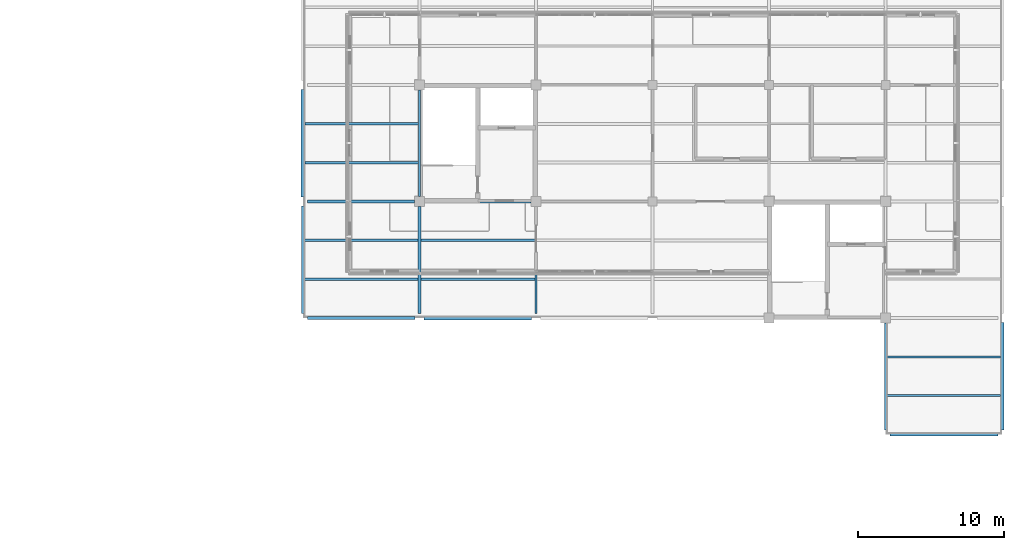
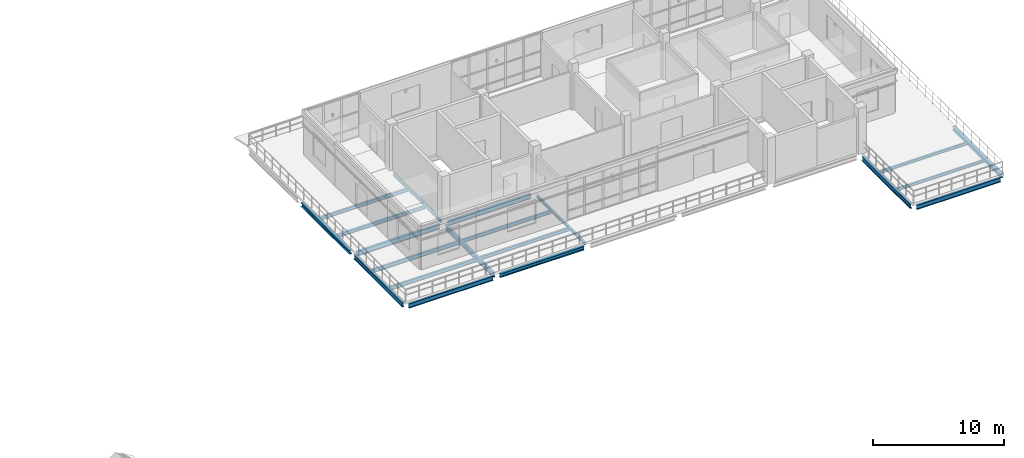
# One storey, part 7 of 24: 20 beams.
"""IFC4 building model written with IfcOpenShell, lengths in metres."""

import ifcopenshell
import ifcopenshell.guid

model = None  # the IFC model being written
_history = None  # IfcOwnerHistory: only IFC2X3 demands one
_inside = {}  # id of a spatial element -> (the spatial element, [elements in it])
_under = {}  # id of a project, library or spatial element -> (it, [spatial elements below it])
_declared = {}  # id of a project -> (the project, [libraries it declares])
_typed = {}  # id of a type object -> (the type object, [elements of that type])
_made_of = {}  # id of a material, layer set ... -> (it, [elements and type objects made of it])


def new_model(schema):
    """Start an empty IFC model of exactly this schema.

    Asked for "IFC4X3", IfcOpenShell would pick the latest addendum, in which some entities
    have other attributes; the version numbers below select the first issue.
    IFC2X3 requires an IfcOwnerHistory on every rooted entity: one is made here for all.
    """
    global model, _history
    if schema == "IFC4X3":
        model = ifcopenshell.file(schema_version=(4, 3, 0, 0))
    else:
        model = ifcopenshell.file(schema=schema)
    _inside.clear()
    _under.clear()
    _declared.clear()
    _typed.clear()
    _made_of.clear()
    _history = None
    if model.schema == "IFC2X3":
        org = make("IfcOrganization", Name="unknown")
        user = make(
            "IfcPersonAndOrganization",
            ThePerson=make("IfcPerson", FamilyName="unknown"),
            TheOrganization=org,
        )
        app = make(
            "IfcApplication",
            ApplicationDeveloper=org,
            Version="unknown",
            ApplicationFullName="unknown",
            ApplicationIdentifier="unknown",
        )
        _history = make(
            "IfcOwnerHistory",
            OwningUser=user,
            OwningApplication=app,
            ChangeAction="ADDED",
            CreationDate=0,
        )
    return model


def make(cls, **values):
    """One entity of the class cls with the attributes given. An attribute that is None is left unset."""
    return model.create_entity(
        cls, **{name: value for name, value in values.items() if value is not None}
    )


def rooted(cls, **values):
    """An entity with a GlobalId (a new one), such as an element, a storey or a relation."""
    return make(cls, GlobalId=ifcopenshell.guid.new(), OwnerHistory=_history, **values)


def si_unit(unit_type, name, prefix=None):
    """IfcSIUnit, for example si_unit("LENGTHUNIT", "METRE", prefix="MILLI")."""
    return make("IfcSIUnit", UnitType=unit_type, Prefix=prefix, Name=name)


def derived_unit(unit_type, elements):
    """IfcDerivedUnit: a product of units, each with its exponent."""
    return make(
        "IfcDerivedUnit",
        Elements=[
            make("IfcDerivedUnitElement", Unit=unit, Exponent=power)
            for unit, power in elements
        ],
        UnitType=unit_type,
    )


def assignment(units):
    """IfcUnitAssignment: the units of a project."""
    return None if units is None else make("IfcUnitAssignment", Units=units)


def point(xyz):
    """IfcCartesianPoint."""
    return None if xyz is None else make("IfcCartesianPoint", Coordinates=xyz)


def direction(xyz):
    """IfcDirection."""
    return None if xyz is None else make("IfcDirection", DirectionRatios=xyz)


def frame(location, z_axis=None, x_axis=None):
    """IfcAxis2Placement3D, a coordinate frame: its origin and axes. An axis left out is left unset."""
    return make(
        "IfcAxis2Placement3D",
        Location=point(location),
        Axis=direction(z_axis),
        RefDirection=direction(x_axis),
    )


def frame_2d(location, x_axis=None):
    """IfcAxis2Placement2D, a coordinate frame in the plane: its origin and x axis."""
    return make(
        "IfcAxis2Placement2D", Location=point(location), RefDirection=direction(x_axis)
    )


def origin():
    """The frame at (0, 0, 0) with its axes left unset."""
    return frame((0.0, 0.0, 0.0))


def origin_2d():
    """The frame at (0, 0) in the plane with its x axis left unset."""
    return frame_2d((0.0, 0.0))


def place(relative_to, where):
    """IfcLocalPlacement: puts the frame where relative to a parent placement (None: the world)."""
    return make(
        "IfcLocalPlacement", PlacementRelTo=relative_to, RelativePlacement=where
    )


def context(
    kind, dimensions, precision=None, world=None, true_north=None, identifier=None
):
    """IfcGeometricRepresentationContext, for example the 3D "Model" context."""
    return make(
        "IfcGeometricRepresentationContext",
        ContextIdentifier=identifier,
        ContextType=kind,
        CoordinateSpaceDimension=dimensions,
        Precision=precision,
        WorldCoordinateSystem=world,
        TrueNorth=true_north,
    )


def subcontext(parent, identifier, kind, view, scale=None):
    """IfcGeometricRepresentationSubContext, for example "Body" below "Model"."""
    return make(
        "IfcGeometricRepresentationSubContext",
        ContextIdentifier=identifier,
        ContextType=kind,
        ParentContext=parent,
        TargetScale=scale,
        TargetView=view,
    )


def project(units=None, contexts=None):
    """IfcProject with its units and contexts."""
    return rooted(
        "IfcProject",
        Name="project",
        RepresentationContexts=contexts,
        UnitsInContext=assignment(units),
    )


def spatial(cls, under=None, at=None, **own):
    """A site, building, storey or space (cls), placed at a placement, below another one or the project."""
    s = rooted(cls, ObjectPlacement=at, **own)
    if under is not None:
        _under.setdefault(under.id(), (under, []))[1].append(s)
    return s


def profile(cls, at=None, kind="AREA", **sizes):
    """A parametric profile (cls). Its sizes go by their IFC names, for example OverallWidth=200.0."""
    return make(cls, ProfileType=kind, Position=at, **sizes)


def i_section(**sizes):
    """IfcIShapeProfileDef."""
    return profile("IfcIShapeProfileDef", **sizes)


def extrude(swept, where, along, depth):
    """IfcExtrudedAreaSolid: the profile swept, set in the frame where, extruded along a direction by depth."""
    return make(
        "IfcExtrudedAreaSolid",
        SweptArea=swept,
        Position=where,
        ExtrudedDirection=direction(along),
        Depth=depth,
    )


def shape(context_of_items, identifier, shape_type, items):
    """IfcShapeRepresentation: the items that make up one representation, for example the "Body"."""
    return make(
        "IfcShapeRepresentation",
        ContextOfItems=context_of_items,
        RepresentationIdentifier=identifier,
        RepresentationType=shape_type,
        Items=items,
    )


def material(Name=None, Category=None):
    """IfcMaterial."""
    return make("IfcMaterial", Name=Name, Category=Category)


def material_profile(
    of_material, cross_section, Name=None, Category=None, Priority=None
):
    """IfcMaterialProfile: a cross section and its material."""
    return make(
        "IfcMaterialProfile",
        Name=Name,
        Material=of_material,
        Profile=cross_section,
        Priority=Priority,
        Category=Category,
    )


def profile_set(profiles, Name=None, composite=None):
    """IfcMaterialProfileSet."""
    return make(
        "IfcMaterialProfileSet",
        Name=Name,
        MaterialProfiles=profiles,
        CompositeProfile=composite,
    )


def made_of(thing, what):
    """Note that an element or type object is made of a material, layer set ...; save() writes the relation."""
    if what is not None:
        _made_of.setdefault(what.id(), (what, []))[1].append(thing)
    return thing


def type_object(cls, material=None, **own):
    """A type object (cls), such as IfcWallType, which elements share."""
    return made_of(rooted(cls, **own), material)


def element(
    cls,
    number,
    at=None,
    inside=None,
    cuts=None,
    type_object=None,
    material=None,
    context=None,
    identifier="Body",
    shape_type=None,
    held_by="IfcProductDefinitionShape",
    body=None,
    shapes=None,
    **own,
):
    """One element of the class cls, such as IfcWall. Its Tag is "e" and its number.

    at: its placement. inside: the storey or other place that contains it. cuts: it is an
    opening in that element (IfcRelVoidsElement). A single representation is given by context,
    identifier, shape_type and body (its items); several are given by shapes. held_by: the class
    of the entity that holds the representations. save() writes the other relations.
    """
    e = rooted(cls, Tag="e%d" % number, ObjectPlacement=at, **own)
    if body is not None:
        shapes = [shape(context, identifier, shape_type, body)]
    if shapes is not None:
        e.Representation = make(held_by, Representations=shapes)
    if inside is not None:
        _inside.setdefault(inside.id(), (inside, []))[1].append(e)
    if cuts is not None:
        rooted(
            "IfcRelVoidsElement", RelatingBuildingElement=cuts, RelatedOpeningElement=e
        )
    if type_object is not None:
        _typed.setdefault(type_object.id(), (type_object, []))[1].append(e)
    return made_of(e, material)


def aggregate(whole, parts):
    """IfcRelAggregates: a whole, such as a stair, and the parts it consists of."""
    return rooted("IfcRelAggregates", RelatingObject=whole, RelatedObjects=parts)


def save(model, path):
    """Write the relations noted so far, then the file.

    IfcRelAggregates (storeys below a building ...), IfcRelContainedInSpatialStructure (elements
    in a storey), IfcRelDefinesByType, IfcRelAssociatesMaterial and IfcRelDeclares: one each for
    every whole, place, type object, material and project.
    """
    for whole, parts in _under.values():
        aggregate(whole, parts)
    for where, things in _inside.values():
        rooted(
            "IfcRelContainedInSpatialStructure",
            RelatedElements=things,
            RelatingStructure=where,
        )
    for kind, things in _typed.values():
        rooted("IfcRelDefinesByType", RelatedObjects=things, RelatingType=kind)
    for what, things in _made_of.values():
        rooted("IfcRelAssociatesMaterial", RelatedObjects=things, RelatingMaterial=what)
    for by, libraries in _declared.values():
        rooted("IfcRelDeclares", RelatingContext=by, RelatedDefinitions=libraries)
    model.write(path)


model = new_model("IFC4")

# Units and contexts
model_context = context("Model", 3, precision=1e-05, world=origin(), true_north=direction((0.0, 1.0)))
body_context = subcontext(model_context, "Body", "Model", "MODEL_VIEW")
ifc_project = project(units=[si_unit("LENGTHUNIT", "METRE"), si_unit("AREAUNIT", "SQUARE_METRE"), si_unit("VOLUMEUNIT", "CUBIC_METRE"), si_unit("PLANEANGLEUNIT", "RADIAN"), si_unit("MASSUNIT", "GRAM", prefix="KILO"), derived_unit("THERMALTRANSMITTANCEUNIT", [(si_unit("MASSUNIT", "GRAM", prefix="KILO"), 1), (si_unit("TIMEUNIT", "SECOND"), -3), (si_unit("THERMODYNAMICTEMPERATUREUNIT", "KELVIN"), -1)])], contexts=[model_context])

# Site, building, storey
site_placement = place(None, origin())
site = spatial("IfcSite", under=ifc_project, at=site_placement, CompositionType="ELEMENT")
building_placement = place(site_placement, origin())
building = spatial("IfcBuilding", under=site, at=building_placement, Name="Veyamyaing Civic Hall", CompositionType="ELEMENT")
storey_placement = place(building_placement, frame((0.0, 0.0, 25.739990234375)))
storey = spatial("IfcBuildingStorey", under=building, at=storey_placement, Name="L06", CompositionType="ELEMENT", Elevation=25.739990234375)

# Beams
ifc_material = material(Name="Steel ASTM A992", Category="steel")
ifc_material_profile_1 = material_profile(ifc_material, i_section(OverallWidth=0.19189453125, OverallDepth=0.462890625, WebThickness=0.010498046875, FlangeThickness=0.017578125, FilletRadius=0.010009765625, at=origin_2d()), Name="W460X89")
ifc_profile_set_1 = profile_set([ifc_material_profile_1], Name="Steel ASTM A992")
beam_type_1 = type_object("IfcBeamType", Name="B-08", PredefinedType="BEAM", material=ifc_profile_set_1)
beam_1_placement = place(storey_placement, frame((128.300048828125, 96.0, -0.46142578125), z_axis=(1.0, 0.0, 0.0), x_axis=(0.0, 1.0, 0.0)))
element("IfcBeam", 1, at=beam_1_placement, inside=storey, type_object=beam_type_1, Name="Girder B-08 L06 Grid N 17-18", PredefinedType="BEAM", context=body_context, shape_type="SweptSolid", body=[
    extrude(i_section(OverallWidth=0.19189453125, OverallDepth=0.462890625, WebThickness=0.010498046875, FlangeThickness=0.017578125, FilletRadius=0.010009765625, at=origin_2d()), origin(), (0.0, 0.0, 1.0), 7.349853515625),
])
ifc_material_profile_2 = material_profile(ifc_material, i_section(OverallWidth=0.18994140625, OverallDepth=0.45703125, WebThickness=0.009033203125, FlangeThickness=0.014404296875, FilletRadius=0.010009765625, at=origin_2d()), Name="W460X74")
ifc_profile_set_2 = profile_set([ifc_material_profile_2], Name="Steel ASTM A992")
beam_type_2 = type_object("IfcBeamType", Name="B-09", PredefinedType="BEAM", material=ifc_profile_set_2)
beam_2_placement = place(storey_placement, frame((136.35009765625, 96.0, -0.453369140625), z_axis=(1.0, 0.0, 0.0), x_axis=(0.0, 1.0, 0.0)))
element("IfcBeam", 2, at=beam_2_placement, inside=storey, type_object=beam_type_2, Name="Girder B-09 L06 Grid N 18-19", PredefinedType="BEAM", context=body_context, shape_type="SweptSolid", body=[
    extrude(i_section(OverallWidth=0.18994140625, OverallDepth=0.45703125, WebThickness=0.009033203125, FlangeThickness=0.014404296875, FilletRadius=0.010009765625, at=origin_2d()), origin(), (0.0, 0.0, 1.0), 7.2998046875),
])
beam_3_placement = place(storey_placement, frame((136.0, 88.300048828125, -0.45849609375), z_axis=(0.0, 1.0, 0.0), x_axis=(-1.0, 0.0, 0.0)))
element("IfcBeam", 3, at=beam_3_placement, inside=storey, type_object=beam_type_2, Name="Girder B-09 L06 Grid 18 M-N", PredefinedType="BEAM", context=body_context, shape_type="SweptSolid", body=[
    extrude(i_section(OverallWidth=0.18994140625, OverallDepth=0.45703125, WebThickness=0.009033203125, FlangeThickness=0.014404296875, FilletRadius=0.010009765625, at=origin_2d()), origin(), (0.0, 0.0, 1.0), 7.349853515625),
])
ifc_material_profile_3 = material_profile(ifc_material, i_section(OverallWidth=0.14599609375, OverallDepth=0.258056640625, WebThickness=0.006103515625, FlangeThickness=0.009033203125, FilletRadius=0.010009765625, at=origin_2d()), Name="W250X33")
ifc_profile_set_3 = profile_set([ifc_material_profile_3], Name="Steel ASTM A992")
beam_type_3 = type_object("IfcBeamType", Name="B-12", PredefinedType="BEAM", material=ifc_profile_set_3)
beam_4_placement = place(storey_placement, frame((136.0, 96.35009765625, -0.35400390625), z_axis=(0.0, 1.0, 0.0), x_axis=(-1.0, 0.0, 0.0)))
element("IfcBeam", 4, at=beam_4_placement, inside=storey, type_object=beam_type_3, Name="Girder B-12 L06 Grid 18 N-P", PredefinedType="BEAM", context=body_context, shape_type="SweptSolid", body=[
    extrude(i_section(OverallWidth=0.14599609375, OverallDepth=0.258056640625, WebThickness=0.006103515625, FlangeThickness=0.009033203125, FilletRadius=0.010009765625, at=origin_2d()), origin(), (0.0, 0.0, 1.0), 7.2998046875),
])
beam_5_placement = place(storey_placement, frame((144.0, 88.300048828125, -0.35888671875), z_axis=(0.0, 1.0, 0.0), x_axis=(-1.0, 0.0, 0.0)))
element("IfcBeam", 5, at=beam_5_placement, inside=storey, type_object=beam_type_3, Name="Girder B-12 L06 Grid 19 M-N", PredefinedType="BEAM", context=body_context, shape_type="SweptSolid", body=[
    extrude(i_section(OverallWidth=0.14599609375, OverallDepth=0.258056640625, WebThickness=0.006103515625, FlangeThickness=0.009033203125, FilletRadius=0.010009765625, at=origin_2d()), origin(), (0.0, 0.0, 1.0), 7.349853515625),
])
ifc_material_profile_4 = material_profile(ifc_material, i_section(OverallWidth=0.180908203125, OverallDepth=0.4169921875, WebThickness=0.010986328125, FlangeThickness=0.018310546875, FilletRadius=0.010009765625, at=origin_2d()), Name="W410X85")
ifc_profile_set_4 = profile_set([ifc_material_profile_4], Name="Steel ASTM A992")
beam_type_4 = type_object("IfcBeamType", Name="B-19", PredefinedType="SPANDREL", material=ifc_profile_set_4)
for number, where, z_axis, x_axis, name in (
    (6, (168.300048828125, 80.0, -0.4384765625), (1.0, 0.0, 0.0), (0.0, 1.0, 0.0), "Girder B-19 L06 Grid L 22-23"),
    (7, (128.300048828125, 88.0, -0.4384765625), (1.0, 0.0, 0.0), (0.0, 1.0, 0.0), "Girder B-19 L06 Grid M 17-18"),
    (8, (128.0, 88.300048828125, -0.4384765625), (0.0, 1.0, 0.0), (-1.0, 0.0, 0.0), "Girder B-19 L06 Grid 17 M-N"),
):
    element("IfcBeam", number, at=place(storey_placement, frame(where, z_axis=z_axis, x_axis=x_axis)), inside=storey, type_object=beam_type_4, Name=name, PredefinedType="SPANDREL", context=body_context, shape_type="SweptSolid", body=[
        extrude(i_section(OverallWidth=0.180908203125, OverallDepth=0.4169921875, WebThickness=0.010986328125, FlangeThickness=0.018310546875, FilletRadius=0.010009765625, at=origin_2d()), origin(), (0.0, 0.0, 1.0), 7.39990234375),
    ])
beam_6_placement = place(storey_placement, frame((168.0, 80.300048828125, -0.4384765625), z_axis=(0.0, 1.0, 0.0), x_axis=(-1.0, 0.0, 0.0)))
element("IfcBeam", 9, at=beam_6_placement, inside=storey, type_object=beam_type_4, Name="Girder B-19 L06 Grid 22 L-M", PredefinedType="SPANDREL", context=body_context, shape_type="SweptSolid", body=[
    extrude(i_section(OverallWidth=0.180908203125, OverallDepth=0.4169921875, WebThickness=0.010986328125, FlangeThickness=0.018310546875, FilletRadius=0.010009765625, at=origin_2d()), origin(), (0.0, 0.0, 1.0), 7.349853515625),
])
ifc_material_profile_5 = material_profile(ifc_material, i_section(OverallWidth=0.25390625, OverallDepth=0.35302734375, WebThickness=0.009521484375, FlangeThickness=0.016357421875, FilletRadius=0.011962890625, at=origin_2d()), Name="W360X91")
ifc_profile_set_5 = profile_set([ifc_material_profile_5], Name="Steel ASTM A992")
beam_type_5 = type_object("IfcBeamType", Name="B-20", PredefinedType="SPANDREL", material=ifc_profile_set_5)
for number, where, z_axis, x_axis, name in (
    (10, (136.300048828125, 88.0, -0.406494140625), (1.0, 0.0, 0.0), (0.0, 1.0, 0.0), "Girder B-20 L06 Grid M 18-19"),
    (11, (128.0, 96.300048828125, -0.406494140625), (0.0, 1.0, 0.0), (-1.0, 0.0, 0.0), "Girder B-20 L06 Grid 17 N-P"),
    (12, (176.0, 80.300048828125, -0.406494140625), (0.0, 1.0, 0.0), (-1.0, 0.0, 0.0), "Girder B-20 L06 Grid 23 L-M"),
):
    element("IfcBeam", number, at=place(storey_placement, frame(where, z_axis=z_axis, x_axis=x_axis)), inside=storey, type_object=beam_type_5, Name=name, PredefinedType="SPANDREL", context=body_context, shape_type="SweptSolid", body=[
        extrude(i_section(OverallWidth=0.25390625, OverallDepth=0.35302734375, WebThickness=0.009521484375, FlangeThickness=0.016357421875, FilletRadius=0.011962890625, at=origin_2d()), origin(), (0.0, 0.0, 1.0), 7.39990234375),
    ])
ifc_material_profile_6 = material_profile(ifc_material, i_section(OverallWidth=0.1708984375, OverallDepth=0.35205078125, WebThickness=0.0068359375, FlangeThickness=0.009765625, FilletRadius=0.010009765625, at=origin_2d()), Name="W360X44")
ifc_profile_set_6 = profile_set([ifc_material_profile_6], Name="Steel ASTM A992")
beam_type_6 = type_object("IfcBeamType", Name="J-03", PredefinedType="JOIST", material=ifc_profile_set_6)
for number, where, z_axis, x_axis, name in (
    (13, (128.08837890625, 90.666748046875, -0.406005859375), (1.0, 0.0, 0.0), (0.0, 1.0, 0.0), "Composite floor joist J-03 L06 17.12.1"),
    (14, (128.08837890625, 93.333251953125, -0.406005859375), (1.0, 0.0, 0.0), (0.0, 1.0, 0.0), "Composite floor joist J-03 L06 17.12.2"),
):
    element("IfcBeam", number, at=place(storey_placement, frame(where, z_axis=z_axis, x_axis=x_axis)), inside=storey, type_object=beam_type_6, Name=name, PredefinedType="JOIST", context=body_context, shape_type="SweptSolid", body=[
        extrude(i_section(OverallWidth=0.1708984375, OverallDepth=0.35205078125, WebThickness=0.0068359375, FlangeThickness=0.009765625, FilletRadius=0.010009765625, at=origin_2d()), origin(), (0.0, 0.0, 1.0), 7.818603515625),
    ])
ifc_material_profile_7 = material_profile(ifc_material, i_section(OverallWidth=0.1669921875, OverallDepth=0.318115234375, WebThickness=0.007568359375, FlangeThickness=0.01318359375, FilletRadius=0.010009765625, at=origin_2d()), Name="W310X52")
ifc_profile_set_7 = profile_set([ifc_material_profile_7], Name="Steel ASTM A992")
beam_type_7 = type_object("IfcBeamType", Name="J-04", PredefinedType="JOIST", material=ifc_profile_set_7)
for number, where, z_axis, x_axis, name in (
    (15, (128.125, 98.666748046875, -0.388916015625), (1.0, 0.0, 0.0), (0.0, 1.0, 0.0), "Composite floor joist J-04 L06 17.13.1"),
    (16, (128.125, 101.333251953125, -0.388916015625), (1.0, 0.0, 0.0), (0.0, 1.0, 0.0), "Composite floor joist J-04 L06 17.13.2"),
):
    element("IfcBeam", number, at=place(storey_placement, frame(where, z_axis=z_axis, x_axis=x_axis)), inside=storey, type_object=beam_type_7, Name=name, PredefinedType="JOIST", context=body_context, shape_type="SweptSolid", body=[
        extrude(i_section(OverallWidth=0.1669921875, OverallDepth=0.318115234375, WebThickness=0.007568359375, FlangeThickness=0.01318359375, FilletRadius=0.010009765625, at=origin_2d()), origin(), (0.0, 0.0, 1.0), 7.803955078125),
    ])
for number, where, z_axis, x_axis, name in (
    (17, (136.093017578125, 90.666748046875, -0.388916015625), (1.0, 0.0, 0.0), (0.0, 1.0, 0.0), "Composite floor joist J-04 L06 18.12.1"),
    (18, (136.093017578125, 93.333251953125, -0.388916015625), (1.0, 0.0, 0.0), (0.0, 1.0, 0.0), "Composite floor joist J-04 L06 18.12.2"),
):
    element("IfcBeam", number, at=place(storey_placement, frame(where, z_axis=z_axis, x_axis=x_axis)), inside=storey, type_object=beam_type_7, Name=name, PredefinedType="JOIST", context=body_context, shape_type="SweptSolid", body=[
        extrude(i_section(OverallWidth=0.1669921875, OverallDepth=0.318115234375, WebThickness=0.007568359375, FlangeThickness=0.01318359375, FilletRadius=0.010009765625, at=origin_2d()), origin(), (0.0, 0.0, 1.0), 7.8359375),
    ])
ifc_material_profile_8 = material_profile(ifc_material, i_section(OverallWidth=0.14794921875, OverallDepth=0.26611328125, WebThickness=0.007568359375, FlangeThickness=0.012939453125, FilletRadius=0.010009765625, at=origin_2d()), Name="W250X45")
ifc_profile_set_8 = profile_set([ifc_material_profile_8], Name="Steel ASTM A992")
beam_type_8 = type_object("IfcBeamType", Name="J-07", PredefinedType="JOIST", material=ifc_profile_set_8)
for number, where, z_axis, x_axis, name in (
    (19, (168.08837890625, 82.666748046875, -0.363037109375), (1.0, 0.0, 0.0), (0.0, 1.0, 0.0), "Composite floor joist J-07 L06 22.11.1"),
    (20, (168.08837890625, 85.333251953125, -0.363037109375), (1.0, 0.0, 0.0), (0.0, 1.0, 0.0), "Composite floor joist J-07 L06 22.11.2"),
):
    element("IfcBeam", number, at=place(storey_placement, frame(where, z_axis=z_axis, x_axis=x_axis)), inside=storey, type_object=beam_type_8, Name=name, PredefinedType="JOIST", context=body_context, shape_type="SweptSolid", body=[
        extrude(i_section(OverallWidth=0.14794921875, OverallDepth=0.26611328125, WebThickness=0.007568359375, FlangeThickness=0.012939453125, FilletRadius=0.010009765625, at=origin_2d()), origin(), (0.0, 0.0, 1.0), 7.78662109375),
    ])

save(model, "model.ifc")
